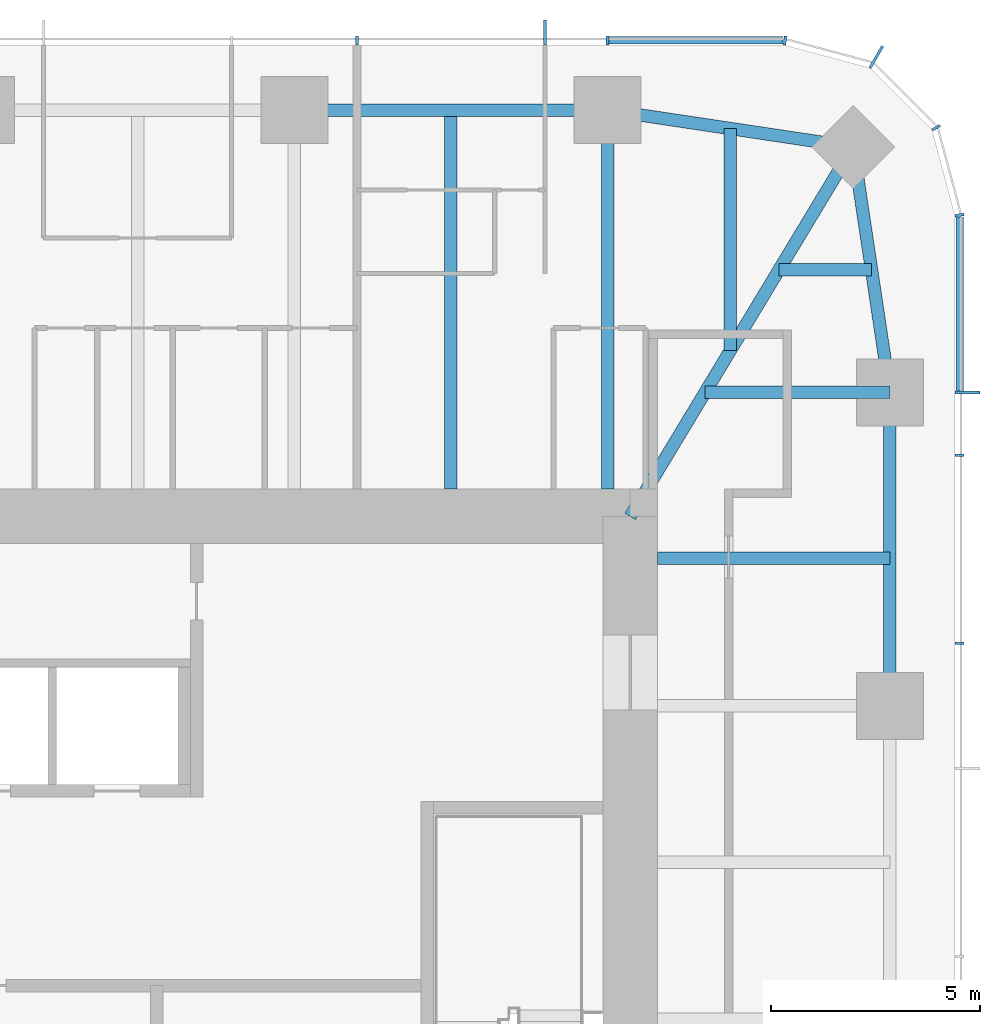
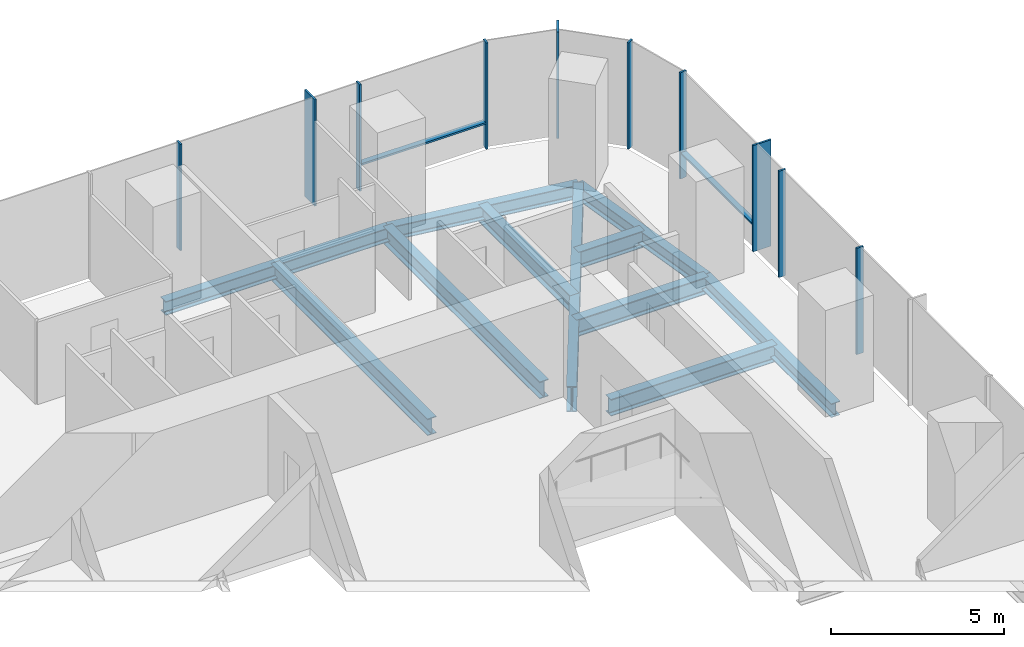
# One storey, part 6 of 12: 12 members, 11 beams, 3 elements without a shape of their own.
"""IFC4 building model written with IfcOpenShell, lengths in metres."""

from ifc_helpers import new_model, si_unit, direction, frame, origin, origin_2d, place, context, subcontext, project, spatial, rectangle, i_section, extrude, material, material_profile, profile_set, type_object, element, aggregate, save


model = new_model("IFC4")

# Units and contexts
model_context = context("Model", 3, precision=1e-05, world=origin(), true_north=direction((0.0, 1.0)))
body_context = subcontext(model_context, "Body", "Model", "MODEL_VIEW")
ifc_project = project(units=[si_unit("LENGTHUNIT", "METRE"), si_unit("AREAUNIT", "SQUARE_METRE"), si_unit("VOLUMEUNIT", "CUBIC_METRE"), si_unit("PLANEANGLEUNIT", "RADIAN"), si_unit("MASSUNIT", "GRAM", prefix="KILO")], contexts=[model_context])

# Site, building, storey
site_placement = place(None, origin())
site = spatial("IfcSite", under=ifc_project, at=site_placement, CompositionType="ELEMENT")
building_placement = place(site_placement, origin())
building = spatial("IfcBuilding", under=site, at=building_placement, Name="Khuree Lantern Residences", CompositionType="ELEMENT")
storey_placement = place(building_placement, frame((0.0, 0.0, 319.5)))
storey = spatial("IfcBuildingStorey", under=building, at=storey_placement, Name="L80", CompositionType="ELEMENT", Elevation=319.5)

# Beams
ifc_material_1 = material(Name="Steel S355", Category="steel")
ifc_material_profile_1 = material_profile(ifc_material_1, i_section(OverallWidth=0.300048828125, OverallDepth=0.590087890625, WebThickness=0.012939453125, FlangeThickness=0.02490234375, FilletRadius=0.027099609375, at=origin_2d()), Name="HE 600 A")
ifc_profile_set_1 = profile_set([ifc_material_profile_1], Name="Steel S355")
beam_type_1 = type_object("IfcBeamType", Name="B-43 SECONDARY BEAM HE 600 A", PredefinedType="BEAM", material=ifc_profile_set_1)
beam_1_placement = place(storey_placement, frame((11.219970703125, 21.699951171875, -0.544921875), z_axis=(0.0, -1.0, 0.0), x_axis=(1.0, 0.0, 0.0)))
element("IfcBeam", 1, at=beam_1_placement, inside=storey, type_object=beam_type_1, Name="Secondary beam N4", PredefinedType="BEAM", context=body_context, shape_type="SweptSolid", body=[
    extrude(i_section(OverallWidth=0.300048828125, OverallDepth=0.590087890625, WebThickness=0.012939453125, FlangeThickness=0.02490234375, FilletRadius=0.027099609375, at=origin_2d()), origin(), (0.0, 0.0, 1.0), 9.050048828125),
])
beam_2_placement = place(storey_placement, frame((17.890625, 21.2607421875, -0.544921875), z_axis=(0.0, -1.0, 0.0), x_axis=(1.0, 0.0, 0.0)))
element("IfcBeam", 2, at=beam_2_placement, inside=storey, type_object=beam_type_1, Name="Secondary beam N5", PredefinedType="BEAM", context=body_context, shape_type="SweptSolid", body=[
    extrude(i_section(OverallWidth=0.300048828125, OverallDepth=0.590087890625, WebThickness=0.012939453125, FlangeThickness=0.02490234375, FilletRadius=0.027099609375, at=origin_2d()), origin(), (0.0, 0.0, 1.0), 5.297607421875),
])
beam_3_placement = place(storey_placement, frame((21.2607421875, 17.890625, -0.544921875), z_axis=(-1.0, 0.0, 0.0), x_axis=(0.0, -1.0, 0.0)))
element("IfcBeam", 3, at=beam_3_placement, inside=storey, type_object=beam_type_1, Name="Secondary beam E1", PredefinedType="BEAM", context=body_context, shape_type="SweptSolid", body=[
    extrude(i_section(OverallWidth=0.300048828125, OverallDepth=0.590087890625, WebThickness=0.012939453125, FlangeThickness=0.02490234375, FilletRadius=0.027099609375, at=origin_2d()), origin(), (0.0, 0.0, 1.0), 2.207275390625),
])
beam_4_placement = place(storey_placement, frame((21.699951171875, 11.0, -0.544921875), z_axis=(-1.0, 0.0, 0.0), x_axis=(0.0, -1.0, 0.0)))
element("IfcBeam", 4, at=beam_4_placement, inside=storey, type_object=beam_type_1, Name="Secondary beam E2", PredefinedType="BEAM", context=body_context, shape_type="SweptSolid", body=[
    extrude(i_section(OverallWidth=0.300048828125, OverallDepth=0.590087890625, WebThickness=0.012939453125, FlangeThickness=0.02490234375, FilletRadius=0.027099609375, at=origin_2d()), origin(), (0.0, 0.0, 1.0), 5.550048828125),
])
ifc_material_profile_2 = material_profile(ifc_material_1, i_section(OverallWidth=0.300048828125, OverallDepth=0.489990234375, WebThickness=0.011962890625, FlangeThickness=0.02294921875, FilletRadius=0.027099609375, at=origin_2d()), Name="HE 500 A")
ifc_profile_set_2 = profile_set([ifc_material_profile_2], Name="Steel S355")
beam_type_2 = type_object("IfcBeamType", Name="E-43 SPANDREL BEAM HE 500 A", PredefinedType="SPANDREL", material=ifc_profile_set_2)
beam_5_placement = place(storey_placement, frame((7.47998046875, 21.699951171875, -0.4951171875), z_axis=(1.0, 0.0, 0.0), x_axis=(0.0, 1.0, 0.0)))
element("IfcBeam", 5, at=beam_5_placement, inside=storey, type_object=beam_type_2, Name="Spandrel beam N4", PredefinedType="SPANDREL", context=body_context, shape_type="SweptSolid", body=[
    extrude(i_section(OverallWidth=0.300048828125, OverallDepth=0.489990234375, WebThickness=0.011962890625, FlangeThickness=0.02294921875, FilletRadius=0.027099609375, at=origin_2d()), origin(), (0.0, 0.0, 1.0), 7.47998046875),
])
for number, where, z_axis, x_axis, name in (
    (6, (14.9599609375, 21.699951171875, -0.4951171875), (0.988949643299, -0.148251822985, 0.0), (0.148251822985, 0.988949643299, 0.0), "Spandrel beam N5"),
    (7, (20.8212890625, 20.8212890625, -0.4951171875), (0.148251822985, -0.988949643299, 0.0), (0.988949643299, 0.148251822985, 0.0), "Spandrel beam E1"),
):
    element("IfcBeam", number, at=place(storey_placement, frame(where, z_axis=z_axis, x_axis=x_axis)), inside=storey, type_object=beam_type_2, Name=name, PredefinedType="SPANDREL", context=body_context, shape_type="SweptSolid", body=[
        extrude(i_section(OverallWidth=0.300048828125, OverallDepth=0.489990234375, WebThickness=0.011962890625, FlangeThickness=0.02294921875, FilletRadius=0.027099609375, at=origin_2d()), origin(), (0.0, 0.0, 1.0), 5.9267578125),
    ])
beam_6_placement = place(storey_placement, frame((21.699951171875, 14.9599609375, -0.4951171875), z_axis=(0.0, -1.0, 0.0), x_axis=(1.0, 0.0, 0.0)))
element("IfcBeam", 8, at=beam_6_placement, inside=storey, type_object=beam_type_2, Name="Spandrel beam E2", PredefinedType="SPANDREL", context=body_context, shape_type="SweptSolid", body=[
    extrude(i_section(OverallWidth=0.300048828125, OverallDepth=0.489990234375, WebThickness=0.011962890625, FlangeThickness=0.02294921875, FilletRadius=0.027099609375, at=origin_2d()), origin(), (0.0, 0.0, 1.0), 7.47998046875),
])

# Curtain wall, member
ifc_material_2 = material(Name="Bronze anodised aluminium", Category="aluminium")
curtain_wall_type_1 = type_object("IfcCurtainWallType", Name="CW-T1 TOWER FACE CURTAIN WALL", PredefinedType="USERDEFINED", material=ifc_material_2)
curtain_wall_1_placement = place(storey_placement, origin())
curtain_wall_1 = element("IfcCurtainWall", 9, at=curtain_wall_1_placement, inside=storey, type_object=curtain_wall_type_1, Name="L80 EAST FACE CURTAIN WALL", ObjectType="Stick-built curtain wall", PredefinedType="USERDEFINED")
ifc_material_profile_3 = material_profile(ifc_material_2, rectangle(XDim=0.06494140625, YDim=0.60009765625, at=origin_2d()), Name="F1 65X600")
ifc_profile_set_3 = profile_set([ifc_material_profile_3], Name="Bronze anodised aluminium")
member_type_1 = type_object("IfcMemberType", Name="F1 BRONZE FIN MULLION TOWER 65X600", PredefinedType="MULLION", material=ifc_profile_set_3)
member_1_placement = place(storey_placement, frame((23.550048828125, 14.9599609375, 0.0), z_axis=(0.0, 0.0, 1.0), x_axis=(0.0, 1.0, 0.0)))
member_1 = element("IfcMember", 10, at=member_1_placement, type_object=member_type_1, Name="L80 EAST FACE FIN MULLION 14", PredefinedType="MULLION", context=body_context, shape_type="SweptSolid", body=[
    extrude(rectangle(XDim=0.06494140625, YDim=0.60009765625, at=origin_2d()), origin(), (0.0, 0.0, 1.0), 3.75),
])

curtain_wall_type_2 = type_object("IfcCurtainWallType", Name="CW-T2 TOWER CORNER CURTAIN WALL", PredefinedType="USERDEFINED", material=ifc_material_2)
curtain_wall_2_placement = place(storey_placement, origin())
curtain_wall_2 = element("IfcCurtainWall", 11, at=curtain_wall_2_placement, inside=storey, type_object=curtain_wall_type_2, Name="L80 NORTH-EAST CORNER CURTAIN WALL", ObjectType="Faceted corner curtain wall", PredefinedType="USERDEFINED")
member_2_placement = place(storey_placement, frame((21.375, 22.96728515625, 0.0), z_axis=(0.0, 0.0, 1.0), x_axis=(-0.866025437565, 0.49999994149, 0.0)))
member_2 = element("IfcMember", 12, at=member_2_placement, type_object=member_type_1, Name="L80 NORTH-EAST CORNER FIN MULLION 17", PredefinedType="MULLION", context=body_context, shape_type="SweptSolid", body=[
    extrude(rectangle(XDim=0.06494140625, YDim=0.60009765625, at=origin_2d()), origin(), (0.0, 0.0, 1.0), 3.75),
])

curtain_wall_3_placement = place(storey_placement, origin())
curtain_wall_3 = element("IfcCurtainWall", 13, at=curtain_wall_3_placement, inside=storey, type_object=curtain_wall_type_1, Name="L80 NORTH FACE CURTAIN WALL", ObjectType="Stick-built curtain wall", PredefinedType="USERDEFINED")
member_3_placement = place(storey_placement, frame((13.464111328125, 23.550048828125, 0.0), z_axis=(0.0, 0.0, 1.0), x_axis=(-1.0, 0.0, 0.0)))
member_3 = element("IfcMember", 14, at=member_3_placement, type_object=member_type_1, Name="L80 NORTH FACE FIN MULLION 20", PredefinedType="MULLION", context=body_context, shape_type="SweptSolid", body=[
    extrude(rectangle(XDim=0.06494140625, YDim=0.60009765625, at=origin_2d()), origin(), (0.0, 0.0, 1.0), 3.75),
])

# Beams
ifc_material_profile_4 = material_profile(ifc_material_1, i_section(OverallWidth=0.300048828125, OverallDepth=0.60009765625, WebThickness=0.015380859375, FlangeThickness=0.030029296875, FilletRadius=0.027099609375, at=origin_2d()), Name="HE 600 B")
ifc_profile_set_4 = profile_set([ifc_material_profile_4], Name="Steel S355")
beam_type_3 = type_object("IfcBeamType", Name="G-43 GIRDER HE 600 B", PredefinedType="BEAM", material=ifc_profile_set_4)
beam_7_placement = place(storey_placement, frame((14.9599609375, 21.699951171875, -0.550048828125), z_axis=(0.0, -1.0, 0.0), x_axis=(1.0, 0.0, 0.0)))
element("IfcBeam", 15, at=beam_7_placement, inside=storey, type_object=beam_type_3, Name="Girder N5", PredefinedType="BEAM", context=body_context, shape_type="SweptSolid", body=[
    extrude(i_section(OverallWidth=0.300048828125, OverallDepth=0.60009765625, WebThickness=0.015380859375, FlangeThickness=0.030029296875, FilletRadius=0.027099609375, at=origin_2d()), origin(), (0.0, 0.0, 1.0), 9.050048828125),
])
beam_8_placement = place(storey_placement, frame((21.699951171875, 14.9599609375, -0.550048828125), z_axis=(-1.0, 0.0, 0.0), x_axis=(0.0, -1.0, 0.0)))
element("IfcBeam", 16, at=beam_8_placement, inside=storey, type_object=beam_type_3, Name="Girder E1", PredefinedType="BEAM", context=body_context, shape_type="SweptSolid", body=[
    extrude(i_section(OverallWidth=0.300048828125, OverallDepth=0.60009765625, WebThickness=0.015380859375, FlangeThickness=0.030029296875, FilletRadius=0.027099609375, at=origin_2d()), origin(), (0.0, 0.0, 1.0), 4.414306640625),
])
ifc_material_profile_5 = material_profile(ifc_material_1, i_section(OverallWidth=0.300048828125, OverallDepth=0.89990234375, WebThickness=0.0185546875, FlangeThickness=0.034912109375, FilletRadius=0.030029296875, at=origin_2d()), Name="HE 900 B")
ifc_profile_set_5 = profile_set([ifc_material_profile_5], Name="Steel S355")
beam_type_4 = type_object("IfcBeamType", Name="GD-43 CORNER GIRDER HE 900 B", PredefinedType="BEAM", material=ifc_profile_set_5)
beam_9_placement = place(storey_placement, frame((20.8212890625, 20.8212890625, -0.699951171875), z_axis=(-0.516529577604, -0.856269347495, 0.0), x_axis=(0.856269347495, -0.516529577604, 0.0)))
element("IfcBeam", 17, at=beam_9_placement, inside=storey, type_object=beam_type_4, Name="Corner girder NE", PredefinedType="BEAM", context=body_context, shape_type="SweptSolid", body=[
    extrude(i_section(OverallWidth=0.300048828125, OverallDepth=0.89990234375, WebThickness=0.0185546875, FlangeThickness=0.034912109375, FilletRadius=0.030029296875, at=origin_2d()), origin(), (0.0, 0.0, 1.0), 10.302001953125),
])

# Member
ifc_material_profile_6 = material_profile(ifc_material_2, rectangle(XDim=0.06494140625, YDim=0.219970703125, at=origin_2d()), Name="M1 65X220")
ifc_profile_set_6 = profile_set([ifc_material_profile_6], Name="Bronze anodised aluminium")
member_type_2 = type_object("IfcMemberType", Name="M1 BRONZE MULLION TOWER 65X220", PredefinedType="MULLION", material=ifc_profile_set_6)
member_4_placement = place(storey_placement, frame((23.360107421875, 8.97607421875, 0.0), z_axis=(0.0, 0.0, 1.0), x_axis=(0.0, 1.0, 0.0)))
member_4 = element("IfcMember", 18, at=member_4_placement, type_object=member_type_2, Name="L80 EAST FACE MULLION 12", PredefinedType="MULLION", context=body_context, shape_type="SweptSolid", body=[
    extrude(rectangle(XDim=0.06494140625, YDim=0.219970703125, at=origin_2d()), origin(), (0.0, 0.0, 1.0), 3.75),
])

member_5_placement = place(storey_placement, frame((23.360107421875, 13.464111328125, 0.0), z_axis=(0.0, 0.0, 1.0), x_axis=(0.0, 1.0, 0.0)))
member_5 = element("IfcMember", 19, at=member_5_placement, type_object=member_type_2, Name="L80 EAST FACE MULLION 13", PredefinedType="MULLION", context=body_context, shape_type="SweptSolid", body=[
    extrude(rectangle(XDim=0.06494140625, YDim=0.219970703125, at=origin_2d()), origin(), (0.0, 0.0, 1.0), 3.75),
])

member_6_placement = place(storey_placement, frame((23.36181640625, 19.195068359375, 0.0), z_axis=(0.0, 0.0, 1.0), x_axis=(-0.130526125236, 0.991444870192, 0.0)))
member_6 = element("IfcMember", 20, at=member_6_placement, type_object=member_type_2, Name="L80 NORTH-EAST CORNER MULLION 15", PredefinedType="MULLION", context=body_context, shape_type="SweptSolid", body=[
    extrude(rectangle(XDim=0.06494140625, YDim=0.219970703125, at=origin_2d()), origin(), (0.0, 0.0, 1.0), 3.75),
])

member_7_placement = place(storey_placement, frame((22.802734375, 21.280029296875, 0.0), z_axis=(0.0, 0.0, 1.0), x_axis=(-0.49999994149, 0.866025437565, 0.0)))
member_7 = element("IfcMember", 21, at=member_7_placement, type_object=member_type_2, Name="L80 NORTH-EAST CORNER MULLION 16", PredefinedType="MULLION", context=body_context, shape_type="SweptSolid", body=[
    extrude(rectangle(XDim=0.06494140625, YDim=0.219970703125, at=origin_2d()), origin(), (0.0, 0.0, 1.0), 3.75),
])

aggregate(curtain_wall_2, [member_6, member_7, member_2])

member_8_placement = place(storey_placement, frame((19.195068359375, 23.36181640625, 0.0), z_axis=(0.0, 0.0, 1.0), x_axis=(-0.991444870192, 0.130526125236, 0.0)))
member_8 = element("IfcMember", 22, at=member_8_placement, type_object=member_type_2, Name="L80 NORTH FACE MULLION 18", PredefinedType="MULLION", context=body_context, shape_type="SweptSolid", body=[
    extrude(rectangle(XDim=0.06494140625, YDim=0.219970703125, at=origin_2d()), origin(), (0.0, 0.0, 1.0), 3.75),
])

member_9_placement = place(storey_placement, frame((14.9599609375, 23.360107421875, 0.0), z_axis=(0.0, 0.0, 1.0), x_axis=(-1.0, 0.0, 0.0)))
member_9 = element("IfcMember", 23, at=member_9_placement, type_object=member_type_2, Name="L80 NORTH FACE MULLION 19", PredefinedType="MULLION", context=body_context, shape_type="SweptSolid", body=[
    extrude(rectangle(XDim=0.06494140625, YDim=0.219970703125, at=origin_2d()), origin(), (0.0, 0.0, 1.0), 3.75),
])

member_10_placement = place(storey_placement, frame((8.97607421875, 23.360107421875, 0.0), z_axis=(0.0, 0.0, 1.0), x_axis=(-1.0, 0.0, 0.0)))
member_10 = element("IfcMember", 24, at=member_10_placement, type_object=member_type_2, Name="L80 NORTH FACE MULLION 21", PredefinedType="MULLION", context=body_context, shape_type="SweptSolid", body=[
    extrude(rectangle(XDim=0.06494140625, YDim=0.219970703125, at=origin_2d()), origin(), (0.0, 0.0, 1.0), 3.75),
])

ifc_material_profile_7 = material_profile(ifc_material_2, rectangle(XDim=0.179931640625, YDim=0.06494140625, at=origin_2d()), Name="T1 180X65")
ifc_profile_set_7 = profile_set([ifc_material_profile_7], Name="Bronze anodised aluminium")
member_type_3 = type_object("IfcMemberType", Name="TRANSOM T1 TOWER 180X65", PredefinedType="USERDEFINED", material=ifc_profile_set_7)
member_11_placement = place(storey_placement, frame((23.3701171875, 14.992431640625, 0.89990234375), z_axis=(0.0, 1.0, 0.0), x_axis=(-1.0, 0.0, 0.0)))
member_11 = element("IfcMember", 25, at=member_11_placement, type_object=member_type_3, Name="L80 EAST FACE TRANSOM 14.1", ObjectType="Transom", PredefinedType="USERDEFINED", context=body_context, shape_type="SweptSolid", body=[
    extrude(rectangle(XDim=0.179931640625, YDim=0.06494140625, at=origin_2d()), origin(), (0.0, 0.0, 1.0), 4.158935546875),
])

aggregate(curtain_wall_1, [member_4, member_5, member_1, member_11])

member_12_placement = place(storey_placement, frame((19.1513671875, 23.3701171875, 0.89990234375), z_axis=(-1.0, 0.0, 0.0), x_axis=(0.0, -1.0, 0.0)))
member_12 = element("IfcMember", 26, at=member_12_placement, type_object=member_type_3, Name="L80 NORTH FACE TRANSOM 18.1", ObjectType="Transom", PredefinedType="USERDEFINED", context=body_context, shape_type="SweptSolid", body=[
    extrude(rectangle(XDim=0.179931640625, YDim=0.06494140625, at=origin_2d()), origin(), (0.0, 0.0, 1.0), 4.158935546875),
])

aggregate(curtain_wall_3, [member_8, member_9, member_3, member_10, member_12])

save(model, "model.ifc")
